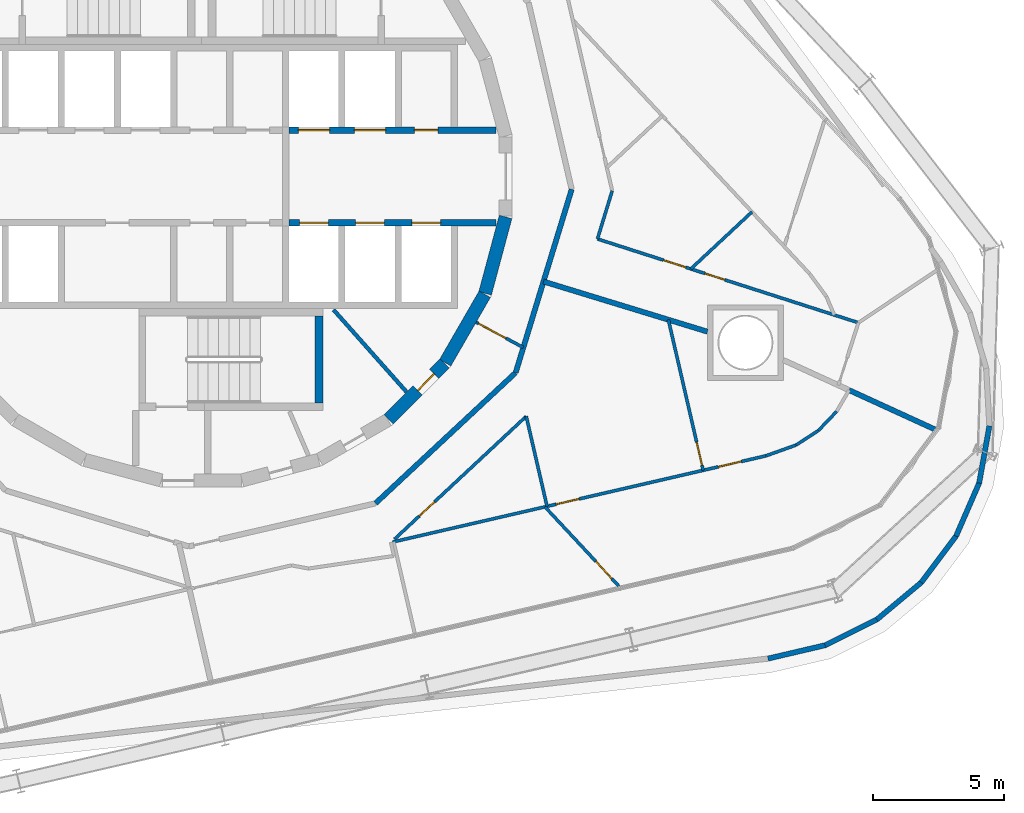
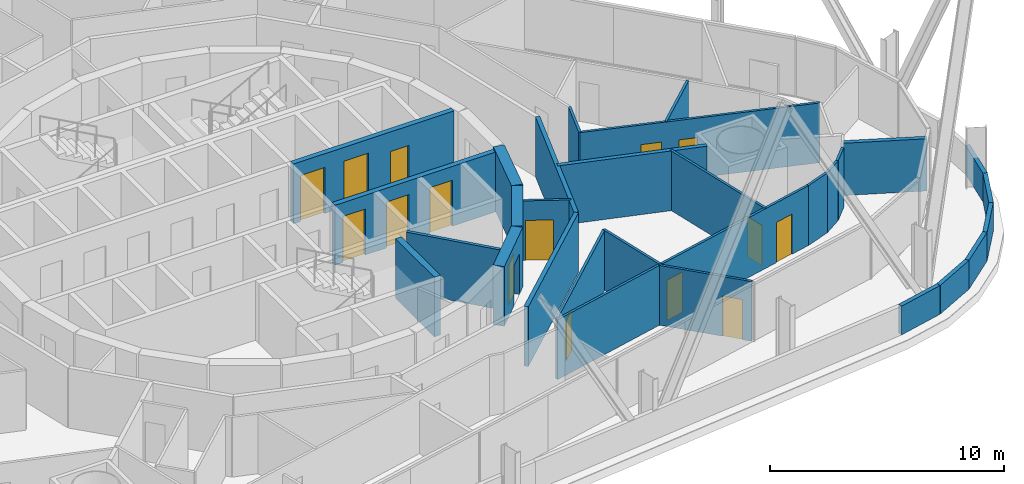
# One storey, part 14 of 18: 29 walls, 15 doors, 15 openings.
"""IFC4 building model written with IfcOpenShell, lengths in metres."""

from ifc_helpers import new_model, si_unit, direction, frame, frame_2d, origin, place, context, subcontext, project, spatial, rectangle, extrude, material, layer, layer_set, type_object, element, fill, save


model = new_model("IFC4")

# Units and contexts
model_context = context("Model", 3, precision=1e-05, world=origin(), true_north=direction((0.0, 1.0)))
body_context = subcontext(model_context, "Body", "Model", "MODEL_VIEW")
ifc_project = project(units=[si_unit("LENGTHUNIT", "METRE"), si_unit("AREAUNIT", "SQUARE_METRE"), si_unit("VOLUMEUNIT", "CUBIC_METRE"), si_unit("PLANEANGLEUNIT", "RADIAN"), si_unit("MASSUNIT", "GRAM", prefix="KILO")], contexts=[model_context])

# Site, building, storey
site_placement = place(None, origin())
site = spatial("IfcSite", under=ifc_project, at=site_placement, CompositionType="ELEMENT")
building_placement = place(site_placement, origin())
building = spatial("IfcBuilding", under=site, at=building_placement, Name="Spindle Arch Residences", CompositionType="ELEMENT")
storey_placement = place(building_placement, frame((0.0, 0.0, 113.39990234375)))
storey = spatial("IfcBuildingStorey", under=building, at=storey_placement, Name="L27", CompositionType="ELEMENT", Elevation=113.39990234375)

# Wall, opening, door
ifc_material_1 = material(Name="Concrete C50/60", Category="concrete")
ifc_layer_1 = layer(ifc_material_1, 0.5)
ifc_layer_set_1 = layer_set([ifc_layer_1], Name="Core outline wall 500")
wall_type_1 = type_object("IfcWallType", Name="Core outline wall 500", PredefinedType="SHEAR", material=ifc_layer_set_1)
wall_1_placement = place(storey_placement, frame((7.163818359375, -9.30810546875, 0.0), z_axis=(0.0, 0.0, 1.0), x_axis=(0.707106781187, 0.707106781187, 0.0)))
wall_1 = element("IfcWall", 1, at=wall_1_placement, inside=storey, type_object=wall_type_1, Name="Core outline wall 3", PredefinedType="SHEAR", context=body_context, shape_type="SweptSolid", body=[
    extrude(rectangle(XDim=3.032470703125, YDim=0.5, at=frame_2d((1.51611328125, 0.0))), origin(), (0.0, 0.0, 1.0), 3.1201171875),
])
opening_1_placement = place(wall_1_placement, frame((1.56640625, 0.0, 0.0)))
opening_1 = element("IfcOpeningElement", 2, at=opening_1_placement, cuts=wall_1, Name="Opening R3A0-WD08", PredefinedType="OPENING", context=body_context, shape_type="SweptSolid", body=[
    extrude(rectangle(XDim=0.89990234375, YDim=2.10009765625, at=frame_2d((0.449951171875, 1.050048828125))), frame((0.0, 0.260009765625, 0.0), z_axis=(0.0, -1.0, 0.0), x_axis=(1.0, 0.0, 0.0)), (0.0, 0.0, 1.0), 0.52001953125),
])
ifc_material_2 = material(Name="Steel, fire-resisting door", Category="steel")
door_type_1 = type_object("IfcDoorType", Name="Service room door 900x2100", OperationType="SINGLE_SWING_LEFT", PredefinedType="DOOR", material=ifc_material_2)
door_1_placement = place(opening_1_placement, origin())
door_1 = element("IfcDoor", 3, at=door_1_placement, inside=storey, type_object=door_type_1, Name="Service room door R3A0-WD08", OperationType="SINGLE_SWING_LEFT", OverallHeight=2.10009765625, OverallWidth=0.89990234375, PredefinedType="DOOR", context=body_context, shape_type="SweptSolid", body=[
    extrude(rectangle(XDim=0.89990234375, YDim=2.10009765625, at=frame_2d((0.449951171875, 1.050048828125))), frame((0.0, 0.02490234375, 0.0), z_axis=(0.0, -1.0, 0.0), x_axis=(1.0, 0.0, 0.0)), (0.0, 0.0, 1.0), 0.050048828125),
])
fill(opening_1, door_1)

# Walls
for number, where, z_axis, x_axis, name in (
    (4, (9.32861328125, -7.13671875, 0.0), (0.0, 0.0, 1.0), (0.500087131594, 0.865975092491, 0.0), "Core outline wall 4"),
    (5, (10.858154296875, -4.479248046875, 0.0), (0.0, 0.0, 1.0), (0.258734743916, 0.965948410781, 0.0), "Core outline wall 5"),
):
    element("IfcWall", number, at=place(storey_placement, frame(where, z_axis=z_axis, x_axis=x_axis)), inside=storey, type_object=wall_type_1, Name=name, PredefinedType="SHEAR", context=body_context, shape_type="SweptSolid", body=[
        extrude(rectangle(XDim=3.03271484375, YDim=0.5, at=frame_2d((1.516357421875, 0.0))), origin(), (0.0, 0.0, 1.0), 3.1201171875),
    ])

# Wall, opening, door
ifc_material_3 = material(Name="Plasterboard on steel studs", Category="steel")
ifc_layer_2 = layer(ifc_material_3, 0.1201171875)
ifc_layer_set_2 = layer_set([ifc_layer_2], Name="Corridor division wall 120")
wall_type_2 = type_object("IfcWallType", Name="Corridor division wall 120", PredefinedType="PARTITIONING", material=ifc_layer_set_2)
wall_2_placement = place(storey_placement, frame((10.510986328125, -5.5888671875, 0.0), z_axis=(0.0, 0.0, 1.0), x_axis=(0.882987820808, -0.469395897196, 0.0)))
wall_2 = element("IfcWall", 6, at=wall_2_placement, inside=storey, type_object=wall_type_2, Name="Corridor division wall R3A0-W002", PredefinedType="PARTITIONING", context=body_context, shape_type="SweptSolid", body=[
    extrude(rectangle(XDim=2.0517578125, YDim=0.1201171875, at=frame_2d((1.02587890625, 0.0))), origin(), (0.0, 0.0, 1.0), 3.1201171875),
])
opening_2_placement = place(wall_2_placement, frame((0.10009765625, 0.0, 0.0)))
opening_2 = element("IfcOpeningElement", 7, at=opening_2_placement, cuts=wall_2, Name="Opening R3A0-CD02", PredefinedType="OPENING", context=body_context, shape_type="SweptSolid", body=[
    extrude(rectangle(XDim=1.199951171875, YDim=2.10009765625, at=frame_2d((0.60009765625, 1.050048828125))), frame((0.0, 0.070068359375, 0.0), z_axis=(0.0, -1.0, 0.0), x_axis=(1.0, 0.0, 0.0)), (0.0, 0.0, 1.0), 0.14013671875),
])
ifc_material_4 = material(Name="Steel, fire-resisting door", Category="steel")
door_type_2 = type_object("IfcDoorType", Name="Corridor division door 1200x2100", OperationType="NOTDEFINED", PredefinedType="DOOR", material=ifc_material_4)
door_2_placement = place(opening_2_placement, origin())
door_2 = element("IfcDoor", 8, at=door_2_placement, inside=storey, type_object=door_type_2, Name="Corridor division door R3A0-CD02", OperationType="DOUBLE_DOOR_SINGLE_SWING", OverallHeight=2.10009765625, OverallWidth=1.199951171875, PredefinedType="DOOR", context=body_context, shape_type="SweptSolid", body=[
    extrude(rectangle(XDim=1.199951171875, YDim=2.10009765625, at=frame_2d((0.60009765625, 1.050048828125))), frame((0.0, 0.02490234375, 0.0), z_axis=(0.0, -1.0, 0.0), x_axis=(1.0, 0.0, 0.0)), (0.0, 0.0, 1.0), 0.050048828125),
])
fill(opening_2, door_2)

# Walls
ifc_material_5 = material(Name="Calcium silicate block, plastered")
ifc_layer_3 = layer(ifc_material_5, 0.199951171875)
ifc_layer_set_3 = layer_set([ifc_layer_3], Name="Corridor wall 200")
wall_type_3 = type_object("IfcWallType", Name="Corridor wall 200", PredefinedType="STANDARD", material=ifc_layer_set_3)
for number, where, z_axis, x_axis, name in (
    (9, (12.028076171875, -7.51611328125, 0.0), (0.0, 0.0, 1.0), (0.292365533182, 0.956306642771, 0.0), "Corridor wall R3A0-W004"),
    (10, (6.65869140625, -12.523193359375, 0.0), (0.0, 0.0, 1.0), (0.731350455479, 0.682001841105, 0.0), "Corridor wall R3A0-W015"),
):
    element("IfcWall", number, at=place(storey_placement, frame(where, z_axis=z_axis, x_axis=x_axis)), inside=storey, type_object=wall_type_3, Name=name, PredefinedType="STANDARD", context=body_context, shape_type="SweptSolid", body=[
        extrude(rectangle(XDim=7.341796875, YDim=0.199951171875, at=frame_2d((3.6708984375, 0.0))), origin(), (0.0, 0.0, 1.0), 3.1201171875),
    ])

# Wall, openings, doors
ifc_material_6 = material(Name="Concrete C40/50", Category="concrete")
ifc_layer_4 = layer(ifc_material_6, 0.25)
ifc_layer_set_4 = layer_set([ifc_layer_4], Name="Fire-lift lobby wall 250")
wall_type_4 = type_object("IfcWallType", Name="Fire-lift lobby wall 250", PredefinedType="SHEAR", material=ifc_layer_set_4)
wall_3_placement = place(storey_placement, frame((3.35009765625, 1.77490234375, 0.0), z_axis=(0.0, 0.0, 1.0), x_axis=(1.0, 0.0, 0.0)))
wall_3 = element("IfcWall", 11, at=wall_3_placement, inside=storey, type_object=wall_type_4, Name="Lift shaft front wall NE", PredefinedType="SHEAR", context=body_context, shape_type="SweptSolid", body=[
    extrude(rectangle(XDim=7.929931640625, YDim=0.25, at=frame_2d((3.96484375, 0.0))), origin(), (0.0, 0.0, 1.0), 3.1201171875),
])
opening_3_placement = place(wall_3_placement, frame((0.35009765625, 0.0, 0.0)))
opening_3 = element("IfcOpeningElement", 12, at=opening_3_placement, cuts=wall_3, Name="Opening R3A0-SLD01", PredefinedType="OPENING", context=body_context, shape_type="SweptSolid", body=[
    extrude(rectangle(XDim=1.199951171875, YDim=2.39990234375, at=frame_2d((0.60009765625, 1.199951171875))), frame((0.0, 0.135009765625, 0.0), z_axis=(0.0, -1.0, 0.0), x_axis=(1.0, 0.0, 0.0)), (0.0, 0.0, 1.0), 0.27001953125),
])
opening_4_placement = place(wall_3_placement, frame((2.5, 0.0, 0.0)))
opening_4 = element("IfcOpeningElement", 13, at=opening_4_placement, cuts=wall_3, Name="Opening R3A0-SLD02", PredefinedType="OPENING", context=body_context, shape_type="SweptSolid", body=[
    extrude(rectangle(XDim=1.199951171875, YDim=2.39990234375, at=frame_2d((0.60009765625, 1.199951171875))), frame((0.0, 0.135009765625, 0.0), z_axis=(0.0, -1.0, 0.0), x_axis=(1.0, 0.0, 0.0)), (0.0, 0.0, 1.0), 0.27001953125),
])
opening_5_placement = place(wall_3_placement, frame((4.800048828125, 0.0, 0.0)))
opening_5 = element("IfcOpeningElement", 14, at=opening_5_placement, cuts=wall_3, Name="Opening R3A0-WD03", PredefinedType="OPENING", context=body_context, shape_type="SweptSolid", body=[
    extrude(rectangle(XDim=0.89990234375, YDim=2.10009765625, at=frame_2d((0.449951171875, 1.050048828125))), frame((0.0, 0.135009765625, 0.0), z_axis=(0.0, -1.0, 0.0), x_axis=(1.0, 0.0, 0.0)), (0.0, 0.0, 1.0), 0.27001953125),
])
ifc_material_7 = material(Name="Steel, fire-resisting landing door", Category="steel")
door_type_3 = type_object("IfcDoorType", Name="Service lift landing door 1200x2400", OperationType="DOUBLE_DOOR_SLIDING", PredefinedType="DOOR", material=ifc_material_7)
door_3_placement = place(opening_3_placement, origin())
door_3 = element("IfcDoor", 15, at=door_3_placement, inside=storey, type_object=door_type_3, Name="Service lift landing door R3A0-SLD01", OperationType="DOUBLE_DOOR_SLIDING", OverallHeight=2.39990234375, OverallWidth=1.199951171875, PredefinedType="DOOR", context=body_context, shape_type="SweptSolid", body=[
    extrude(rectangle(XDim=1.199951171875, YDim=2.39990234375, at=frame_2d((0.60009765625, 1.199951171875))), frame((0.0, 0.02490234375, 0.0), z_axis=(0.0, -1.0, 0.0), x_axis=(1.0, 0.0, 0.0)), (0.0, 0.0, 1.0), 0.050048828125),
])
fill(opening_3, door_3)
door_4_placement = place(opening_4_placement, origin())
door_4 = element("IfcDoor", 16, at=door_4_placement, inside=storey, type_object=door_type_3, Name="Service lift landing door R3A0-SLD02", OperationType="DOUBLE_DOOR_SLIDING", OverallHeight=2.39990234375, OverallWidth=1.199951171875, PredefinedType="DOOR", context=body_context, shape_type="SweptSolid", body=[
    extrude(rectangle(XDim=1.199951171875, YDim=2.39990234375, at=frame_2d((0.60009765625, 1.199951171875))), frame((0.0, 0.02490234375, 0.0), z_axis=(0.0, -1.0, 0.0), x_axis=(1.0, 0.0, 0.0)), (0.0, 0.0, 1.0), 0.050048828125),
])
fill(opening_4, door_4)
door_5_placement = place(opening_5_placement, origin())
door_5 = element("IfcDoor", 17, at=door_5_placement, inside=storey, type_object=door_type_1, Name="Service room door R3A0-WD03", OperationType="SINGLE_SWING_RIGHT", OverallHeight=2.10009765625, OverallWidth=0.89990234375, PredefinedType="DOOR", context=body_context, shape_type="SweptSolid", body=[
    extrude(rectangle(XDim=0.89990234375, YDim=2.10009765625, at=frame_2d((0.449951171875, 1.050048828125))), frame((0.0, 0.02490234375, 0.0), z_axis=(0.0, -1.0, 0.0), x_axis=(1.0, 0.0, 0.0)), (0.0, 0.0, 1.0), 0.050048828125),
])
fill(opening_5, door_5)

ifc_material_8 = material(Name="Concrete C50/60", Category="concrete")
ifc_layer_5 = layer(ifc_material_8, 0.25)
ifc_layer_set_5 = layer_set([ifc_layer_5], Name="Fire-lift shaft wall 250")
wall_type_5 = type_object("IfcWallType", Name="Fire-lift shaft wall 250", PredefinedType="SHEAR", material=ifc_layer_set_5)
wall_4_placement = place(storey_placement, frame((3.35009765625, -1.77490234375, 0.0), z_axis=(0.0, 0.0, 1.0), x_axis=(1.0, 0.0, 0.0)))
wall_4 = element("IfcWall", 18, at=wall_4_placement, inside=storey, type_object=wall_type_5, Name="Lift shaft front wall SE", PredefinedType="SHEAR", context=body_context, shape_type="SweptSolid", body=[
    extrude(rectangle(XDim=7.929931640625, YDim=0.25, at=frame_2d((3.96484375, 0.0))), origin(), (0.0, 0.0, 1.0), 3.1201171875),
])
opening_6_placement = place(wall_4_placement, frame((0.39990234375, 0.0, 0.0)))
opening_6 = element("IfcOpeningElement", 19, at=opening_6_placement, cuts=wall_4, Name="Opening R3A0-FLD01", PredefinedType="OPENING", context=body_context, shape_type="SweptSolid", body=[
    extrude(rectangle(XDim=1.10009765625, YDim=2.39990234375, at=frame_2d((0.550048828125, 1.199951171875))), frame((0.0, 0.135009765625, 0.0), z_axis=(0.0, -1.0, 0.0), x_axis=(1.0, 0.0, 0.0)), (0.0, 0.0, 1.0), 0.27001953125),
])
opening_7_placement = place(wall_4_placement, frame((2.550048828125, 0.0, 0.0)))
opening_7 = element("IfcOpeningElement", 20, at=opening_7_placement, cuts=wall_4, Name="Opening R3A0-FLD02", PredefinedType="OPENING", context=body_context, shape_type="SweptSolid", body=[
    extrude(rectangle(XDim=1.10009765625, YDim=2.39990234375, at=frame_2d((0.550048828125, 1.199951171875))), frame((0.0, 0.135009765625, 0.0), z_axis=(0.0, -1.0, 0.0), x_axis=(1.0, 0.0, 0.0)), (0.0, 0.0, 1.0), 0.27001953125),
])
opening_8_placement = place(wall_4_placement, frame((4.699951171875, 0.0, 0.0)))
opening_8 = element("IfcOpeningElement", 21, at=opening_8_placement, cuts=wall_4, Name="Opening R3A0-FLD03", PredefinedType="OPENING", context=body_context, shape_type="SweptSolid", body=[
    extrude(rectangle(XDim=1.10009765625, YDim=2.39990234375, at=frame_2d((0.550048828125, 1.199951171875))), frame((0.0, 0.135009765625, 0.0), z_axis=(0.0, -1.0, 0.0), x_axis=(1.0, 0.0, 0.0)), (0.0, 0.0, 1.0), 0.27001953125),
])
ifc_material_9 = material(Name="Steel, fire-resisting landing door", Category="steel")
door_type_4 = type_object("IfcDoorType", Name="Fire-fighting lift landing door 1100x2400", OperationType="DOUBLE_DOOR_SLIDING", PredefinedType="DOOR", material=ifc_material_9)
door_6_placement = place(opening_6_placement, origin())
door_6 = element("IfcDoor", 22, at=door_6_placement, inside=storey, type_object=door_type_4, Name="Fire-fighting lift landing door R3A0-FLD01", OperationType="DOUBLE_DOOR_SLIDING", OverallHeight=2.39990234375, OverallWidth=1.10009765625, PredefinedType="DOOR", context=body_context, shape_type="SweptSolid", body=[
    extrude(rectangle(XDim=1.10009765625, YDim=2.39990234375, at=frame_2d((0.550048828125, 1.199951171875))), frame((0.0, 0.02490234375, 0.0), z_axis=(0.0, -1.0, 0.0), x_axis=(1.0, 0.0, 0.0)), (0.0, 0.0, 1.0), 0.050048828125),
])
fill(opening_6, door_6)
door_7_placement = place(opening_7_placement, origin())
door_7 = element("IfcDoor", 23, at=door_7_placement, inside=storey, type_object=door_type_4, Name="Fire-fighting lift landing door R3A0-FLD02", OperationType="DOUBLE_DOOR_SLIDING", OverallHeight=2.39990234375, OverallWidth=1.10009765625, PredefinedType="DOOR", context=body_context, shape_type="SweptSolid", body=[
    extrude(rectangle(XDim=1.10009765625, YDim=2.39990234375, at=frame_2d((0.550048828125, 1.199951171875))), frame((0.0, 0.02490234375, 0.0), z_axis=(0.0, -1.0, 0.0), x_axis=(1.0, 0.0, 0.0)), (0.0, 0.0, 1.0), 0.050048828125),
])
fill(opening_7, door_7)
door_8_placement = place(opening_8_placement, origin())
door_8 = element("IfcDoor", 24, at=door_8_placement, inside=storey, type_object=door_type_4, Name="Fire-fighting lift landing door R3A0-FLD03", OperationType="DOUBLE_DOOR_SLIDING", OverallHeight=2.39990234375, OverallWidth=1.10009765625, PredefinedType="DOOR", context=body_context, shape_type="SweptSolid", body=[
    extrude(rectangle(XDim=1.10009765625, YDim=2.39990234375, at=frame_2d((0.550048828125, 1.199951171875))), frame((0.0, 0.02490234375, 0.0), z_axis=(0.0, -1.0, 0.0), x_axis=(1.0, 0.0, 0.0)), (0.0, 0.0, 1.0), 0.050048828125),
])
fill(opening_8, door_8)

ifc_material_10 = material(Name="Plasterboard on steel studs", Category="steel")
ifc_layer_6 = layer(ifc_material_10, 0.1201171875)
ifc_layer_set_6 = layer_set([ifc_layer_6], Name="Flat partition 120")
wall_type_6 = type_object("IfcWallType", Name="Flat partition 120", PredefinedType="PARTITIONING", material=ifc_layer_set_6)
wall_5_placement = place(storey_placement, frame((25.15771484375, -5.60302734375, 0.0), z_axis=(0.0, 0.0, 1.0), x_axis=(-0.952147783118, 0.305638019729, 0.0)))
wall_5 = element("IfcWall", 25, at=wall_5_placement, inside=storey, type_object=wall_type_6, Name="Flat partition R3A0-W033", PredefinedType="PARTITIONING", context=body_context, shape_type="SweptSolid", body=[
    extrude(rectangle(XDim=10.497802734375, YDim=0.1201171875, at=frame_2d((5.2490234375, 0.0))), origin(), (0.0, 0.0, 1.0), 3.1201171875),
])
opening_9_placement = place(wall_5_placement, frame((5.373046875, 0.0, 0.0)))
opening_9 = element("IfcOpeningElement", 26, at=opening_9_placement, cuts=wall_5, Name="Opening R3A0-BD02", PredefinedType="OPENING", context=body_context, shape_type="SweptSolid", body=[
    extrude(rectangle(XDim=0.800048828125, YDim=2.10009765625, at=frame_2d((0.39990234375, 1.050048828125))), frame((0.0, 0.070068359375, 0.0), z_axis=(0.0, -1.0, 0.0), x_axis=(1.0, 0.0, 0.0)), (0.0, 0.0, 1.0), 0.14013671875),
])
opening_10_placement = place(wall_5_placement, frame((6.941162109375, 0.0, 0.0)))
opening_10 = element("IfcOpeningElement", 27, at=opening_10_placement, cuts=wall_5, Name="Opening R3A0-ID03", PredefinedType="OPENING", context=body_context, shape_type="SweptSolid", body=[
    extrude(rectangle(XDim=0.89990234375, YDim=2.10009765625, at=frame_2d((0.449951171875, 1.050048828125))), frame((0.0, 0.070068359375, 0.0), z_axis=(0.0, -1.0, 0.0), x_axis=(1.0, 0.0, 0.0)), (0.0, 0.0, 1.0), 0.14013671875),
])
ifc_material_11 = material(Name="Timber door set", Category="wood")
door_type_5 = type_object("IfcDoorType", Name="Bathroom door 800x2100", OperationType="NOTDEFINED", PredefinedType="DOOR", material=ifc_material_11)
door_9_placement = place(opening_9_placement, origin())
door_9 = element("IfcDoor", 28, at=door_9_placement, inside=storey, type_object=door_type_5, Name="Bathroom door R3A0-BD02", OperationType="SINGLE_SWING_LEFT", OverallHeight=2.10009765625, OverallWidth=0.800048828125, PredefinedType="DOOR", context=body_context, shape_type="SweptSolid", body=[
    extrude(rectangle(XDim=0.800048828125, YDim=2.10009765625, at=frame_2d((0.39990234375, 1.050048828125))), frame((0.0, 0.02490234375, 0.0), z_axis=(0.0, -1.0, 0.0), x_axis=(1.0, 0.0, 0.0)), (0.0, 0.0, 1.0), 0.050048828125),
])
fill(opening_9, door_9)
ifc_material_12 = material(Name="Timber door set", Category="wood")
door_type_6 = type_object("IfcDoorType", Name="Room door 900x2100", OperationType="NOTDEFINED", PredefinedType="DOOR", material=ifc_material_12)
door_10_placement = place(opening_10_placement, origin())
door_10 = element("IfcDoor", 29, at=door_10_placement, inside=storey, type_object=door_type_6, Name="Room door R3A0-ID03", OperationType="SINGLE_SWING_LEFT", OverallHeight=2.10009765625, OverallWidth=0.89990234375, PredefinedType="DOOR", context=body_context, shape_type="SweptSolid", body=[
    extrude(rectangle(XDim=0.89990234375, YDim=2.10009765625, at=frame_2d((0.449951171875, 1.050048828125))), frame((0.0, 0.02490234375, 0.0), z_axis=(0.0, -1.0, 0.0), x_axis=(1.0, 0.0, 0.0)), (0.0, 0.0, 1.0), 0.050048828125),
])
fill(opening_10, door_10)

# Walls
wall_6_placement = place(storey_placement, frame((15.162353515625, -2.39453125, 0.0), z_axis=(0.0, 0.0, 1.0), x_axis=(0.292404972776, 0.956294584266, 0.0)))
element("IfcWall", 30, at=wall_6_placement, inside=storey, type_object=wall_type_6, Name="Flat partition R3A0-W034", PredefinedType="PARTITIONING", context=body_context, shape_type="SweptSolid", body=[
    extrude(rectangle(XDim=1.929443359375, YDim=0.1201171875, at=frame_2d((0.96484375, 0.0))), origin(), (0.0, 0.0, 1.0), 3.1201171875),
])
wall_7_placement = place(storey_placement, frame((21.080810546875, -1.35888671875, 0.0), z_axis=(0.0, 0.0, 1.0), x_axis=(-0.731341711004, -0.682011218196, 0.0)))
element("IfcWall", 31, at=wall_7_placement, inside=storey, type_object=wall_type_6, Name="Flat partition R3A0-W043", PredefinedType="PARTITIONING", context=body_context, shape_type="SweptSolid", body=[
    extrude(rectangle(XDim=3.2021484375, YDim=0.1201171875, at=frame_2d((1.60107421875, 0.0))), origin(), (0.0, 0.0, 1.0), 3.1201171875),
])

# Wall, opening, door
wall_8_placement = place(storey_placement, frame((7.3876953125, -13.894287109375, 0.0), z_axis=(0.0, 0.0, 1.0), x_axis=(0.731339966659, 0.682013088707, 0.0)))
wall_8 = element("IfcWall", 32, at=wall_8_placement, inside=storey, type_object=wall_type_6, Name="Flat partition R3A0-W106", PredefinedType="PARTITIONING", context=body_context, shape_type="SweptSolid", body=[
    extrude(rectangle(XDim=6.8994140625, YDim=0.1201171875, at=frame_2d((3.44970703125, 0.0))), origin(), (0.0, 0.0, 1.0), 3.1201171875),
])
opening_11_placement = place(wall_8_placement, frame((1.300048828125, 0.0, 0.0)))
opening_11 = element("IfcOpeningElement", 33, at=opening_11_placement, cuts=wall_8, Name="Opening R3A0-BD07", PredefinedType="OPENING", context=body_context, shape_type="SweptSolid", body=[
    extrude(rectangle(XDim=0.800048828125, YDim=2.10009765625, at=frame_2d((0.39990234375, 1.050048828125))), frame((0.0, 0.070068359375, 0.0), z_axis=(0.0, -1.0, 0.0), x_axis=(1.0, 0.0, 0.0)), (0.0, 0.0, 1.0), 0.14013671875),
])
door_11_placement = place(opening_11_placement, origin())
door_11 = element("IfcDoor", 34, at=door_11_placement, inside=storey, type_object=door_type_5, Name="Bathroom door R3A0-BD07", OperationType="SINGLE_SWING_RIGHT", OverallHeight=2.10009765625, OverallWidth=0.800048828125, PredefinedType="DOOR", context=body_context, shape_type="SweptSolid", body=[
    extrude(rectangle(XDim=0.800048828125, YDim=2.10009765625, at=frame_2d((0.39990234375, 1.050048828125))), frame((0.0, 0.02490234375, 0.0), z_axis=(0.0, -1.0, 0.0), x_axis=(1.0, 0.0, 0.0)), (0.0, 0.0, 1.0), 0.050048828125),
])
fill(opening_11, door_11)

# Wall
wall_9_placement = place(storey_placement, frame((12.43359375, -9.188720703125, 0.0), z_axis=(0.0, 0.0, 1.0), x_axis=(0.224924972887, -0.974376085796, 0.0)))
element("IfcWall", 35, at=wall_9_placement, inside=storey, type_object=wall_type_6, Name="Flat partition R3A0-W107", PredefinedType="PARTITIONING", context=body_context, shape_type="SweptSolid", body=[
    extrude(rectangle(XDim=3.540771484375, YDim=0.1201171875, at=frame_2d((1.7705078125, 0.0))), origin(), (0.0, 0.0, 1.0), 3.1201171875),
])

# Wall, openings, doors
wall_10_placement = place(storey_placement, frame((7.3125, -14.0048828125, 0.0), z_axis=(0.0, 0.0, 1.0), x_axis=(0.974367924791, 0.224960323474, 0.0)))
wall_10 = element("IfcWall", 36, at=wall_10_placement, inside=storey, type_object=wall_type_6, Name="Flat partition R3A0-W108", PredefinedType="PARTITIONING", context=body_context, shape_type="SweptSolid", body=[
    extrude(rectangle(XDim=14.67919921875, YDim=0.1201171875, at=frame_2d((7.339599609375, 0.0))), origin(), (0.0, 0.0, 1.0), 3.1201171875),
])
opening_12_placement = place(wall_10_placement, frame((6.433349609375, 0.0, 0.0)))
opening_12 = element("IfcOpeningElement", 37, at=opening_12_placement, cuts=wall_10, Name="Opening R3A0-ID28", PredefinedType="OPENING", context=body_context, shape_type="SweptSolid", body=[
    extrude(rectangle(XDim=0.89990234375, YDim=2.10009765625, at=frame_2d((0.449951171875, 1.050048828125))), frame((0.0, 0.070068359375, 0.0), z_axis=(0.0, -1.0, 0.0), x_axis=(1.0, 0.0, 0.0)), (0.0, 0.0, 1.0), 0.14013671875),
])
opening_13_placement = place(wall_10_placement, frame((12.811767578125, 0.0, 0.0)))
opening_13 = element("IfcOpeningElement", 38, at=opening_13_placement, cuts=wall_10, Name="Opening R3A0-ID31", PredefinedType="OPENING", context=body_context, shape_type="SweptSolid", body=[
    extrude(rectangle(XDim=0.89990234375, YDim=2.10009765625, at=frame_2d((0.449951171875, 1.050048828125))), frame((0.0, 0.070068359375, 0.0), z_axis=(0.0, -1.0, 0.0), x_axis=(1.0, 0.0, 0.0)), (0.0, 0.0, 1.0), 0.14013671875),
])
door_12_placement = place(opening_12_placement, origin())
door_12 = element("IfcDoor", 39, at=door_12_placement, inside=storey, type_object=door_type_6, Name="Room door R3A0-ID28", OperationType="SINGLE_SWING_RIGHT", OverallHeight=2.10009765625, OverallWidth=0.89990234375, PredefinedType="DOOR", context=body_context, shape_type="SweptSolid", body=[
    extrude(rectangle(XDim=0.89990234375, YDim=2.10009765625, at=frame_2d((0.449951171875, 1.050048828125))), frame((0.0, 0.02490234375, 0.0), z_axis=(0.0, -1.0, 0.0), x_axis=(1.0, 0.0, 0.0)), (0.0, 0.0, 1.0), 0.050048828125),
])
fill(opening_12, door_12)
door_13_placement = place(opening_13_placement, origin())
door_13 = element("IfcDoor", 40, at=door_13_placement, inside=storey, type_object=door_type_6, Name="Room door R3A0-ID31", OperationType="SINGLE_SWING_LEFT", OverallHeight=2.10009765625, OverallWidth=0.89990234375, PredefinedType="DOOR", context=body_context, shape_type="SweptSolid", body=[
    extrude(rectangle(XDim=0.89990234375, YDim=2.10009765625, at=frame_2d((0.449951171875, 1.050048828125))), frame((0.0, 0.02490234375, 0.0), z_axis=(0.0, -1.0, 0.0), x_axis=(1.0, 0.0, 0.0)), (0.0, 0.0, 1.0), 0.050048828125),
])
fill(opening_13, door_13)

# Wall, opening, door
wall_11_placement = place(storey_placement, frame((19.211181640625, -11.2578125, 0.0), z_axis=(0.0, 0.0, 1.0), x_axis=(-0.22499500936, 0.974359915926, 0.0)))
wall_11 = element("IfcWall", 41, at=wall_11_placement, inside=storey, type_object=wall_type_6, Name="Flat partition R3A0-W109", PredefinedType="PARTITIONING", context=body_context, shape_type="SweptSolid", body=[
    extrude(rectangle(XDim=5.92138671875, YDim=0.1201171875, at=frame_2d((2.960693359375, 0.0))), origin(), (0.0, 0.0, 1.0), 3.1201171875),
])
opening_14_placement = place(wall_11_placement, frame((0.199951171875, 0.0, 0.0)))
opening_14 = element("IfcOpeningElement", 42, at=opening_14_placement, cuts=wall_11, Name="Opening R3A0-ID29", PredefinedType="OPENING", context=body_context, shape_type="SweptSolid", body=[
    extrude(rectangle(XDim=0.89990234375, YDim=2.10009765625, at=frame_2d((0.449951171875, 1.050048828125))), frame((0.0, 0.070068359375, 0.0), z_axis=(0.0, -1.0, 0.0), x_axis=(1.0, 0.0, 0.0)), (0.0, 0.0, 1.0), 0.14013671875),
])
door_14_placement = place(opening_14_placement, origin())
door_14 = element("IfcDoor", 43, at=door_14_placement, inside=storey, type_object=door_type_6, Name="Room door R3A0-ID29", OperationType="SINGLE_SWING_RIGHT", OverallHeight=2.10009765625, OverallWidth=0.89990234375, PredefinedType="DOOR", context=body_context, shape_type="SweptSolid", body=[
    extrude(rectangle(XDim=0.89990234375, YDim=2.10009765625, at=frame_2d((0.449951171875, 1.050048828125))), frame((0.0, 0.02490234375, 0.0), z_axis=(0.0, -1.0, 0.0), x_axis=(1.0, 0.0, 0.0)), (0.0, 0.0, 1.0), 0.050048828125),
])
fill(opening_14, door_14)

wall_12_placement = place(storey_placement, frame((15.984619140625, -15.697509765625, 0.0), z_axis=(0.0, 0.0, 1.0), x_axis=(-0.681979185924, 0.731371581322, 0.0)))
wall_12 = element("IfcWall", 44, at=wall_12_placement, inside=storey, type_object=wall_type_6, Name="Flat partition R3A0-W111", PredefinedType="PARTITIONING", context=body_context, shape_type="SweptSolid", body=[
    extrude(rectangle(XDim=4.156982421875, YDim=0.1201171875, at=frame_2d((2.07861328125, 0.0))), origin(), (0.0, 0.0, 1.0), 3.1201171875),
])
opening_15_placement = place(wall_12_placement, frame((0.39990234375, 0.0, 0.0)))
opening_15 = element("IfcOpeningElement", 45, at=opening_15_placement, cuts=wall_12, Name="Opening R3A0-ID30", PredefinedType="OPENING", context=body_context, shape_type="SweptSolid", body=[
    extrude(rectangle(XDim=0.89990234375, YDim=2.10009765625, at=frame_2d((0.449951171875, 1.050048828125))), frame((0.0, 0.070068359375, 0.0), z_axis=(0.0, -1.0, 0.0), x_axis=(1.0, 0.0, 0.0)), (0.0, 0.0, 1.0), 0.14013671875),
])
door_15_placement = place(opening_15_placement, origin())
door_15 = element("IfcDoor", 46, at=door_15_placement, inside=storey, type_object=door_type_6, Name="Room door R3A0-ID30", OperationType="SINGLE_SWING_LEFT", OverallHeight=2.10009765625, OverallWidth=0.89990234375, PredefinedType="DOOR", context=body_context, shape_type="SweptSolid", body=[
    extrude(rectangle(XDim=0.89990234375, YDim=2.10009765625, at=frame_2d((0.449951171875, 1.050048828125))), frame((0.0, 0.02490234375, 0.0), z_axis=(0.0, -1.0, 0.0), x_axis=(1.0, 0.0, 0.0)), (0.0, 0.0, 1.0), 0.050048828125),
])
fill(opening_15, door_15)

# Walls
for number, where, z_axis, x_axis, name in (
    (47, (24.324462890625, -9.001708984375, 0.0), (0.0, 0.0, 1.0), (-0.690452883014, -0.723377367864, 0.0), "Flat partition R3A0-W113"),
    (48, (23.623046875, -9.736572265625, 0.0), (0.0, 0.0, 1.0), (-0.838718041084, -0.544565925816, 0.0), "Flat partition R3A0-W114"),
):
    element("IfcWall", number, at=place(storey_placement, frame(where, z_axis=z_axis, x_axis=x_axis)), inside=storey, type_object=wall_type_6, Name=name, PredefinedType="PARTITIONING", context=body_context, shape_type="SweptSolid", body=[
        extrude(rectangle(XDim=1.015869140625, YDim=0.1201171875, at=frame_2d((0.5078125, 0.0))), origin(), (0.0, 0.0, 1.0), 3.1201171875),
    ])
wall_13_placement = place(storey_placement, frame((22.77099609375, -10.289794921875, 0.0), z_axis=(0.0, 0.0, 1.0), x_axis=(-0.941701391526, -0.336449831623, 0.0)))
element("IfcWall", 49, at=wall_13_placement, inside=storey, type_object=wall_type_6, Name="Flat partition R3A0-W115", PredefinedType="PARTITIONING", context=body_context, shape_type="SweptSolid", body=[
    extrude(rectangle(XDim=1.22705078125, YDim=0.1201171875, at=frame_2d((0.613525390625, 0.0))), origin(), (0.0, 0.0, 1.0), 3.1201171875),
])
ifc_material_13 = material(Name="Calcium silicate block, plastered")
ifc_layer_7 = layer(ifc_material_13, 0.199951171875)
ifc_layer_set_7 = layer_set([ifc_layer_7], Name="Flat party wall 200")
wall_type_7 = type_object("IfcWallType", Name="Flat party wall 200", PredefinedType="STANDARD", material=ifc_layer_set_7)
wall_14_placement = place(storey_placement, frame((13.09521484375, -4.025634765625, 0.0), z_axis=(0.0, 0.0, 1.0), x_axis=(0.956303942966, -0.292374363904, 0.0)))
element("IfcWall", 50, at=wall_14_placement, inside=storey, type_object=wall_type_7, Name="Flat party wall R3A0-W017", PredefinedType="STANDARD", context=body_context, shape_type="SweptSolid", body=[
    extrude(rectangle(XDim=6.5673828125, YDim=0.199951171875, at=frame_2d((3.28369140625, 0.0))), origin(), (0.0, 0.0, 1.0), 3.1201171875),
])
ifc_material_14 = material(Name="Calcium silicate block, plastered")
ifc_layer_8 = layer(ifc_material_14, 0.199951171875)
ifc_layer_set_8 = layer_set([ifc_layer_8], Name="Flat party wall 200 under beam 2730")
wall_type_8 = type_object("IfcWallType", Name="Flat party wall 200 under beam 2730", PredefinedType="STANDARD", material=ifc_layer_set_8)
wall_15_placement = place(storey_placement, frame((24.8017578125, -8.18603515625, 0.0), z_axis=(0.0, 0.0, 1.0), x_axis=(0.909307466213, -0.416124899387, 0.0)))
element("IfcWall", 51, at=wall_15_placement, inside=storey, type_object=wall_type_8, Name="Flat party wall R3A0-W020", PredefinedType="STANDARD", context=body_context, shape_type="SweptSolid", body=[
    extrude(rectangle(XDim=3.6181640625, YDim=0.199951171875, at=frame_2d((1.80908203125, 0.0))), origin(), (0.0, 0.0, 1.0), 2.72998046875),
])
ifc_material_15 = material(Name="Concrete C40/50", Category="concrete")
ifc_layer_9 = layer(ifc_material_15, 0.199951171875)
ifc_layer_set_9 = layer_set([ifc_layer_9], Name="Roof parapet 1500")
wall_type_9 = type_object("IfcWallType", Name="Roof parapet 1500", PredefinedType="PARAPET", material=ifc_layer_set_9)
wall_16_placement = place(storey_placement, frame((30.177001953125, -9.554931640625, 0.030029296875), z_axis=(0.0, 0.0, 1.0), x_axis=(-0.176522523023, -0.984296601064, 0.0)))
element("IfcWall", 52, at=wall_16_placement, inside=storey, type_object=wall_type_9, Name="Roof parapet L26 4.5", PredefinedType="PARAPET", context=body_context, shape_type="SweptSolid", body=[
    extrude(rectangle(XDim=2.22802734375, YDim=0.199951171875, at=frame_2d((1.114013671875, 0.0))), origin(), (0.0, 0.0, 1.0), 1.5),
])
for number, where, z_axis, x_axis, name in (
    (53, (29.787109375, -11.737060546875, 0.030029296875), (0.0, 0.0, 1.0), (-0.398714092113, -0.917075281943, 0.0), "Roof parapet L26 4.6"),
    (54, (28.904541015625, -13.770263671875, 0.030029296875), (0.0, 0.0, 1.0), (-0.599526584528, -0.800354842832, 0.0), "Roof parapet L26 4.7"),
):
    element("IfcWall", number, at=place(storey_placement, frame(where, z_axis=z_axis, x_axis=x_axis)), inside=storey, type_object=wall_type_9, Name=name, PredefinedType="PARAPET", context=body_context, shape_type="SweptSolid", body=[
        extrude(rectangle(XDim=2.228271484375, YDim=0.199951171875, at=frame_2d((1.1142578125, 0.0))), origin(), (0.0, 0.0, 1.0), 1.5),
    ])
wall_17_placement = place(storey_placement, frame((27.57666015625, -15.54541015625, 0.030029296875), z_axis=(0.0, 0.0, 1.0), x_axis=(-0.767897847129, -0.640572319395, 0.0)))
element("IfcWall", 55, at=wall_17_placement, inside=storey, type_object=wall_type_9, Name="Roof parapet L26 4.8", PredefinedType="PARAPET", context=body_context, shape_type="SweptSolid", body=[
    extrude(rectangle(XDim=2.22802734375, YDim=0.199951171875, at=frame_2d((1.114013671875, 0.0))), origin(), (0.0, 0.0, 1.0), 1.5),
])
wall_18_placement = place(storey_placement, frame((25.87548828125, -16.96630859375, 0.030029296875), z_axis=(0.0, 0.0, 1.0), x_axis=(-0.894952499537, -0.446161432188, 0.0)))
element("IfcWall", 56, at=wall_18_placement, inside=storey, type_object=wall_type_9, Name="Roof parapet L26 4.9", PredefinedType="PARAPET", context=body_context, shape_type="SweptSolid", body=[
    extrude(rectangle(XDim=2.228271484375, YDim=0.199951171875, at=frame_2d((1.1142578125, 0.0))), origin(), (0.0, 0.0, 1.0), 1.5),
])
wall_19_placement = place(storey_placement, frame((23.89208984375, -17.95654296875, 0.030029296875), z_axis=(0.0, 0.0, 1.0), x_axis=(-0.973714213052, -0.227773201454, 0.0)))
element("IfcWall", 57, at=wall_19_placement, inside=storey, type_object=wall_type_9, Name="Roof parapet L26 4.10", PredefinedType="PARAPET", context=body_context, shape_type="SweptSolid", body=[
    extrude(rectangle(XDim=2.25732421875, YDim=0.199951171875, at=frame_2d((1.128662109375, 0.0))), origin(), (0.0, 0.0, 1.0), 1.5),
])
ifc_material_16 = material(Name="Concrete C25/30", Category="concrete")
ifc_layer_10 = layer(ifc_material_16, 0.14990234375)
ifc_layer_set_10 = layer_set([ifc_layer_10], Name="Service room partition 150")
wall_type_10 = type_object("IfcWallType", Name="Service room partition 150", PredefinedType="PARTITIONING", material=ifc_layer_set_10)
wall_20_placement = place(storey_placement, frame((7.84228515625, -8.24755859375, 0.0), z_axis=(0.0, 0.0, 1.0), x_axis=(-0.66446128181, 0.747322691329, 0.0)))
element("IfcWall", 58, at=wall_20_placement, inside=storey, type_object=wall_type_10, Name="Core service room partition", PredefinedType="PARTITIONING", context=body_context, shape_type="SweptSolid", body=[
    extrude(rectangle(XDim=4.198486328125, YDim=0.14990234375, at=frame_2d((2.09912109375, 0.0))), origin(), (0.0, 0.0, 1.0), 3.1201171875),
])
ifc_material_17 = material(Name="Concrete C50/60", Category="concrete")
ifc_layer_11 = layer(ifc_material_17, 0.300048828125)
ifc_layer_set_11 = layer_set([ifc_layer_11], Name="Stair enclosure wall 300")
wall_type_11 = type_object("IfcWallType", Name="Stair enclosure wall 300", PredefinedType="SHEAR", material=ifc_layer_set_11)
wall_21_placement = place(storey_placement, frame((4.5, -8.669921875, 0.0), z_axis=(0.0, 0.0, 1.0), x_axis=(0.0, 1.0, 0.0)))
element("IfcWall", 59, at=wall_21_placement, inside=storey, type_object=wall_type_11, Name="Stair ST-3 enclosure wall E", PredefinedType="SHEAR", context=body_context, shape_type="SweptSolid", body=[
    extrude(rectangle(XDim=3.31982421875, YDim=0.300048828125, at=frame_2d((1.659912109375, 0.0))), origin(), (0.0, 0.0, 1.0), 3.1201171875),
])

save(model, "model.ifc")
